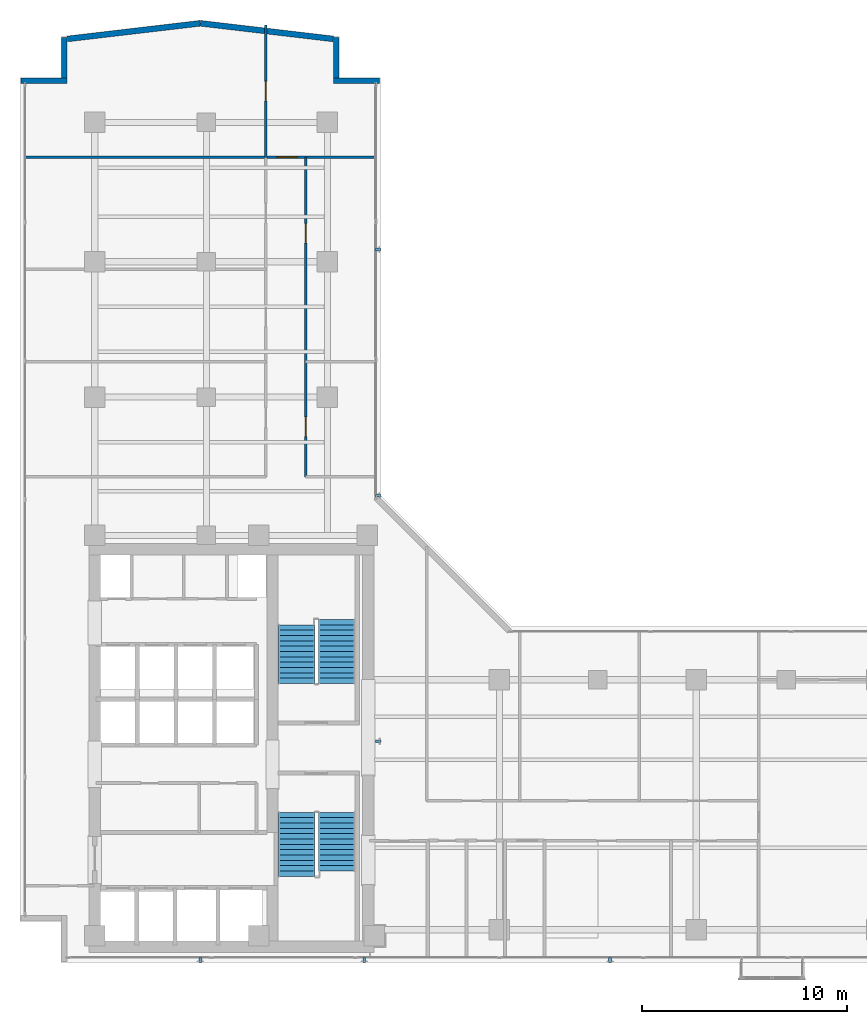
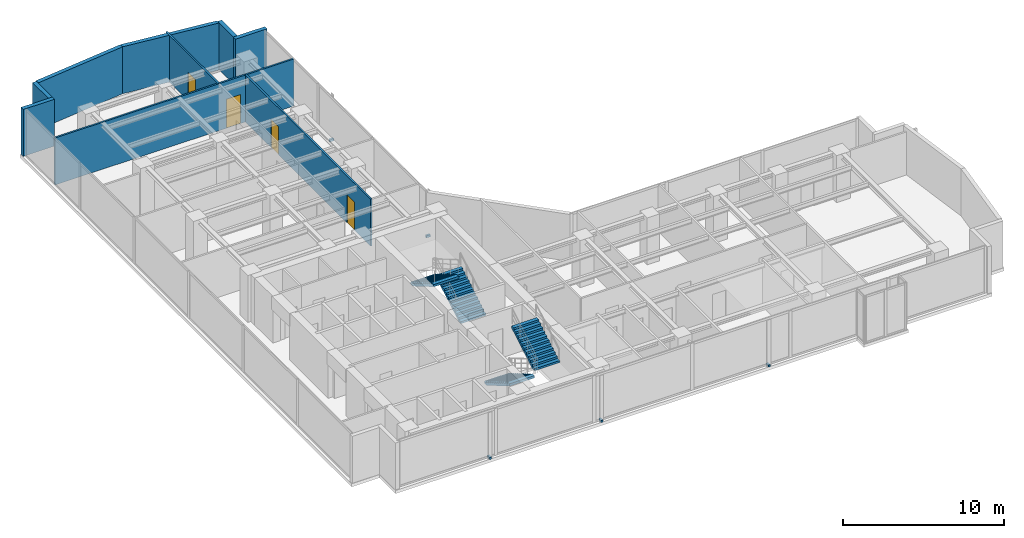
# One storey, part 18 of 23: 9 walls, 6 discrete accessories, 4 doors, 4 stair flights, 4 openings, 2 elements without a shape of their own.
"""IFC4 building model written with IfcOpenShell, lengths in metres."""

from ifc_helpers import new_model, si_unit, direction, frame, frame_2d, origin, origin_with_axes, origin_2d, place, context, subcontext, project, spatial, polyline, rectangle, outline, extrude, source, transform, mapped, material, layer, layer_set, type_object, element, fill, aggregate, save


model = new_model("IFC4")

# Units and contexts
model_context = context("Model", 3, precision=1e-05, world=origin(), true_north=direction((0.0, 1.0)))
body_context = subcontext(model_context, "Body", "Model", "MODEL_VIEW")
ifc_project = project(units=[si_unit("LENGTHUNIT", "METRE"), si_unit("AREAUNIT", "SQUARE_METRE"), si_unit("VOLUMEUNIT", "CUBIC_METRE"), si_unit("PLANEANGLEUNIT", "RADIAN"), si_unit("MASSUNIT", "GRAM", prefix="KILO")], contexts=[model_context])

# Site, building, storey
site_placement = place(None, origin())
site = spatial("IfcSite", under=ifc_project, at=site_placement, CompositionType="ELEMENT")
building_placement = place(site_placement, origin())
building = spatial("IfcBuilding", under=site, at=building_placement, Name="Kolvaren Waterfront Exchange", CompositionType="ELEMENT")
storey_placement = place(building_placement, frame((0.0, 0.0, 227.300048828125)))
storey = spatial("IfcBuildingStorey", under=building, at=storey_placement, Name="L58", CompositionType="ELEMENT", Elevation=227.300048828125)

# Walls
ifc_material_1 = material(Name="Precast concrete C40/50", Category="concrete")
ifc_layer_1 = layer(ifc_material_1, 0.280029296875, Name="Precast concrete C40/50")
ifc_layer_set_1 = layer_set([ifc_layer_1], Name="Precast concrete C40/50")
wall_type_1 = type_object("IfcWallType", Name="ARC-EXT-TERR-280", PredefinedType="SOLIDWALL", material=ifc_layer_set_1)
wall_1_placement = place(storey_placement, frame((19.10009765625, 46.639892578125, 0.0), z_axis=(0.0, 0.0, 1.0), x_axis=(1.0, 0.0, 0.0)))
element("IfcWall", 1, at=wall_1_placement, inside=storey, type_object=wall_type_1, Name="L58 notched corner spandrel pier NNE-A", PredefinedType="SOLIDWALL", context=body_context, shape_type="SweptSolid", body=[
    extrude(rectangle(XDim=2.239990234375, YDim=0.280029296875, at=frame_2d((1.1201171875, 0.0))), origin(), (0.0, 0.0, 1.0), 3.56005859375),
])
wall_2_placement = place(storey_placement, frame((19.239990234375, 46.780029296875, 0.0), z_axis=(0.0, 0.0, 1.0), x_axis=(0.0, 1.0, 0.0)))
element("IfcWall", 2, at=wall_2_placement, inside=storey, type_object=wall_type_1, Name="L58 notched corner spandrel pier NNE-B", PredefinedType="SOLIDWALL", context=body_context, shape_type="SweptSolid", body=[
    extrude(rectangle(XDim=1.9599609375, YDim=0.280029296875, at=frame_2d((0.97998046875, 0.0))), origin(), (0.0, 0.0, 1.0), 3.56005859375),
])
wall_3_placement = place(storey_placement, frame((3.860107421875, 46.639892578125, 0.0), z_axis=(0.0, 0.0, 1.0), x_axis=(1.0, 0.0, 0.0)))
element("IfcWall", 3, at=wall_3_placement, inside=storey, type_object=wall_type_1, Name="L58 notched corner spandrel pier NW-A", PredefinedType="SOLIDWALL", context=body_context, shape_type="SweptSolid", body=[
    extrude(rectangle(XDim=2.239990234375, YDim=0.280029296875, at=frame_2d((1.1201171875, 0.0))), origin(), (0.0, 0.0, 1.0), 3.56005859375),
])
wall_4_placement = place(storey_placement, frame((5.9599609375, 46.780029296875, 0.0), z_axis=(0.0, 0.0, 1.0), x_axis=(0.0, 1.0, 0.0)))
element("IfcWall", 4, at=wall_4_placement, inside=storey, type_object=wall_type_1, Name="L58 notched corner spandrel pier NW-B", PredefinedType="SOLIDWALL", context=body_context, shape_type="SweptSolid", body=[
    extrude(rectangle(XDim=1.9599609375, YDim=0.280029296875, at=frame_2d((0.97998046875, 0.0))), origin(), (0.0, 0.0, 1.0), 3.56005859375),
])
for number, where, z_axis, x_axis, name in (
    (5, (19.08349609375, 48.676025390625, 0.0), (0.0, 0.0, 1.0), (-0.993149072278, 0.11685426921, 0.0), "L58 north prow faceted facade wall 1"),
    (6, (12.598876953125, 49.438720703125, 0.0), (0.0, 0.0, 1.0), (-0.993149072278, -0.11685426921, 0.0), "L58 north prow faceted facade wall 2"),
):
    element("IfcWall", number, at=place(storey_placement, frame(where, z_axis=z_axis, x_axis=x_axis)), inside=storey, type_object=wall_type_1, Name=name, PredefinedType="SOLIDWALL", context=body_context, shape_type="SweptSolid", body=[
        extrude(rectangle(XDim=6.52685546875, YDim=0.280029296875, at=frame_2d((3.263427734375, 0.0))), origin(), (0.0, 0.0, 1.0), 3.56005859375),
    ])

# Wall, opening, door
ifc_material_2 = material(Name="Acoustic gypsum steel stud", Category="steel")
ifc_layer_2 = layer(ifc_material_2, 0.125, Name="Acoustic gypsum steel stud")
ifc_layer_set_2 = layer_set([ifc_layer_2], Name="Acoustic gypsum steel stud")
wall_type_2 = type_object("IfcWallType", Name="ARC-PART-125", PredefinedType="PARTITIONING", material=ifc_layer_set_2)
wall_5_placement = place(storey_placement, frame((4.0400390625, 42.89990234375, 0.0), z_axis=(0.0, 0.0, 1.0), x_axis=(1.0, 0.0, 0.0)))
wall_5 = element("IfcWall", 7, at=wall_5_placement, inside=storey, type_object=wall_type_2, Name="L58 interior wall PW-L58-NTIP-S", PredefinedType="PARTITIONING", context=body_context, shape_type="SweptSolid", body=[
    extrude(rectangle(XDim=17.119873046875, YDim=0.125, at=frame_2d((8.56005859375, 0.0))), origin(), (0.0, 0.0, 1.0), 3.56005859375),
])
opening_1_placement = place(wall_5_placement, frame((12.300048828125, 0.0, 0.0)))
opening_1 = element("IfcOpeningElement", 8, at=opening_1_placement, cuts=wall_5, Name="Opening D03", PredefinedType="OPENING", context=body_context, shape_type="SweptSolid", body=[
    extrude(rectangle(XDim=1.0, YDim=2.199951171875, at=frame_2d((0.5, 1.10009765625))), frame((0.0, 0.072509765625, 0.0), z_axis=(0.0, -1.0, 0.0), x_axis=(1.0, 0.0, 0.0)), (0.0, 0.0, 1.0), 0.14501953125),
])
ifc_material_3 = material(Name="Oak veneer accessible timber", Category="wood")
door_type_1 = type_object("IfcDoorType", Name="ARC-DR-1000", OperationType="NOTDEFINED", PredefinedType="DOOR", material=ifc_material_3)
door_1_placement = place(opening_1_placement, origin())
door_1 = element("IfcDoor", 9, at=door_1_placement, inside=storey, type_object=door_type_1, Name="L58 door DR-L58-NTIPE-D (D03)", OperationType="SINGLE_SWING_LEFT", OverallHeight=2.199951171875, OverallWidth=1.0, PredefinedType="DOOR", context=body_context, shape_type="SweptSolid", body=[
    extrude(rectangle(XDim=1.0, YDim=2.199951171875, at=frame_2d((0.5, 1.10009765625))), frame((0.0, 0.02490234375, 0.0), z_axis=(0.0, -1.0, 0.0), x_axis=(1.0, 0.0, 0.0)), (0.0, 0.0, 1.0), 0.050048828125),
])
fill(opening_1, door_1)

wall_6_placement = place(storey_placement, frame((15.800048828125, 42.89990234375, 0.0), z_axis=(0.0, 0.0, 1.0), x_axis=(0.0, 1.0, 0.0)))
wall_6 = element("IfcWall", 10, at=wall_6_placement, inside=storey, type_object=wall_type_2, Name="L58 interior wall PW-L58-NTIP-DIV", PredefinedType="PARTITIONING", context=body_context, shape_type="SweptSolid", body=[
    extrude(rectangle(XDim=6.460205078125, YDim=0.125, at=frame_2d((3.22998046875, 0.0))), origin(), (0.0, 0.0, 1.0), 3.56005859375),
])
opening_2_placement = place(wall_6_placement, frame((2.75, 0.0, 0.0)))
opening_2 = element("IfcOpeningElement", 11, at=opening_2_placement, cuts=wall_6, Name="Opening D02", PredefinedType="OPENING", context=body_context, shape_type="SweptSolid", body=[
    extrude(rectangle(XDim=0.949951171875, YDim=2.14990234375, at=frame_2d((0.47509765625, 1.074951171875))), frame((0.0, 0.072509765625, 0.0), z_axis=(0.0, -1.0, 0.0), x_axis=(1.0, 0.0, 0.0)), (0.0, 0.0, 1.0), 0.14501953125),
])
ifc_material_4 = material(Name="Oak veneer acoustic timber", Category="wood")
door_type_2 = type_object("IfcDoorType", Name="ARC-DR-950", OperationType="NOTDEFINED", PredefinedType="DOOR", material=ifc_material_4)
door_2_placement = place(opening_2_placement, origin())
door_2 = element("IfcDoor", 12, at=door_2_placement, inside=storey, type_object=door_type_2, Name="L58 door DR-L58-NTIPW-D (D02)", OperationType="SINGLE_SWING_RIGHT", OverallHeight=2.14990234375, OverallWidth=0.949951171875, PredefinedType="DOOR", context=body_context, shape_type="SweptSolid", body=[
    extrude(rectangle(XDim=0.949951171875, YDim=2.14990234375, at=frame_2d((0.47509765625, 1.074951171875))), frame((0.0, 0.02490234375, 0.0), z_axis=(0.0, -1.0, 0.0), x_axis=(1.0, 0.0, 0.0)), (0.0, 0.0, 1.0), 0.050048828125),
])
fill(opening_2, door_2)

# Wall, openings, doors
wall_7_placement = place(storey_placement, frame((17.739990234375, 27.300048828125, 0.0), z_axis=(0.0, 0.0, 1.0), x_axis=(0.0, 1.0, 0.0)))
wall_7 = element("IfcWall", 13, at=wall_7_placement, inside=storey, type_object=wall_type_2, Name="L58 interior wall PW-L58-NE-CORR", PredefinedType="PARTITIONING", context=body_context, shape_type="SweptSolid", body=[
    extrude(rectangle(XDim=15.599853515625, YDim=0.125, at=frame_2d((7.7998046875, 0.0))), origin(), (0.0, 0.0, 1.0), 3.56005859375),
])
opening_3_placement = place(wall_7_placement, frame((1.976806640625, 0.0, 0.0)))
opening_3 = element("IfcOpeningElement", 14, at=opening_3_placement, cuts=wall_7, Name="Opening D02", PredefinedType="OPENING", context=body_context, shape_type="SweptSolid", body=[
    extrude(rectangle(XDim=0.949951171875, YDim=2.14990234375, at=frame_2d((0.47509765625, 1.074951171875))), frame((0.0, 0.072509765625, 0.0), z_axis=(0.0, -1.0, 0.0), x_axis=(1.0, 0.0, 0.0)), (0.0, 0.0, 1.0), 0.14501953125),
])
opening_4_placement = place(wall_7_placement, frame((11.412109375, 0.0, 0.0)))
opening_4 = element("IfcOpeningElement", 15, at=opening_4_placement, cuts=wall_7, Name="Opening D02", PredefinedType="OPENING", context=body_context, shape_type="SweptSolid", body=[
    extrude(rectangle(XDim=0.949951171875, YDim=2.14990234375, at=frame_2d((0.47509765625, 1.074951171875))), frame((0.0, 0.072509765625, 0.0), z_axis=(0.0, -1.0, 0.0), x_axis=(1.0, 0.0, 0.0)), (0.0, 0.0, 1.0), 0.14501953125),
])
door_3_placement = place(opening_3_placement, origin())
door_3 = element("IfcDoor", 16, at=door_3_placement, inside=storey, type_object=door_type_2, Name="L58 door DR-L58-NE-D-1 (D02)", OperationType="SINGLE_SWING_LEFT", OverallHeight=2.14990234375, OverallWidth=0.949951171875, PredefinedType="DOOR", context=body_context, shape_type="SweptSolid", body=[
    extrude(rectangle(XDim=0.949951171875, YDim=2.14990234375, at=frame_2d((0.47509765625, 1.074951171875))), frame((0.0, 0.02490234375, 0.0), z_axis=(0.0, -1.0, 0.0), x_axis=(1.0, 0.0, 0.0)), (0.0, 0.0, 1.0), 0.050048828125),
])
fill(opening_3, door_3)
door_4_placement = place(opening_4_placement, origin())
door_4 = element("IfcDoor", 17, at=door_4_placement, inside=storey, type_object=door_type_2, Name="L58 door DR-L58-NE-D-2 (D02)", OperationType="SINGLE_SWING_RIGHT", OverallHeight=2.14990234375, OverallWidth=0.949951171875, PredefinedType="DOOR", context=body_context, shape_type="SweptSolid", body=[
    extrude(rectangle(XDim=0.949951171875, YDim=2.14990234375, at=frame_2d((0.47509765625, 1.074951171875))), frame((0.0, 0.02490234375, 0.0), z_axis=(0.0, -1.0, 0.0), x_axis=(1.0, 0.0, 0.0)), (0.0, 0.0, 1.0), 0.050048828125),
])
fill(opening_4, door_4)

# Stair, stair flights
ifc_material_5 = material(Name="Concrete C40/50", Category="concrete")
stair_type = type_object("IfcStairType", Name="ARC-STAIR-3800", PredefinedType="HALF_TURN_STAIR", material=ifc_material_5)
stair_1_placement = place(storey_placement, origin())
stair_1 = element("IfcStair", 18, at=stair_1_placement, inside=storey, type_object=stair_type, Name="L58 Smoke-proof exit stair ST1", PredefinedType="HALF_TURN_STAIR")
stair_flight_type = type_object("IfcStairFlightType", Name="ARC-FLIGHT-3800", PredefinedType="STRAIGHT", material=ifc_material_5)
stair_flight_1_placement = place(storey_placement, frame((17.300048828125, 10.929931640625, 0.0), z_axis=(0.0, 0.0, 1.0), x_axis=(0.0, -1.0, 0.0)))
stair_flight_1 = element("IfcStairFlight", 19, at=stair_flight_1_placement, type_object=stair_flight_type, Name="ST1 flight 1", NumberOfRisers=13, NumberOfTreads=12, PredefinedType="STRAIGHT", RiserHeight=0.152, TreadLength=0.26, context=body_context, shape_type="SweptSolid", body=[
    extrude(outline(polyline([(0.0, 0.0), (0.0, 0.152099609375), (0.260009765625, 0.152099609375), (0.260009765625, 0.303955078125), (0.52001953125, 0.303955078125), (0.52001953125, 0.4560546875), (0.780029296875, 0.4560546875), (0.780029296875, 0.60791015625), (1.0400390625, 0.60791015625), (1.0400390625, 0.760009765625), (1.300048828125, 0.760009765625), (1.300048828125, 0.912109375), (1.56005859375, 0.912109375), (1.56005859375, 1.06396484375), (1.820068359375, 1.06396484375), (1.820068359375, 1.216064453125), (2.080078125, 1.216064453125), (2.080078125, 1.367919921875), (2.340087890625, 1.367919921875), (2.340087890625, 1.52001953125), (2.60009765625, 1.52001953125), (2.60009765625, 1.672119140625), (2.860107421875, 1.672119140625), (2.860107421875, 1.823974609375), (3.1201171875, 1.823974609375), (3.1201171875, 1.97607421875), (3.1201171875, 1.650390625), (0.297119140625, 0.0), (0.0, 0.0)])), frame((0.0, 0.89990234375, 0.0), z_axis=(0.0, -1.0, 0.0), x_axis=(1.0, 0.0, 0.0)), (0.0, 0.0, 1.0), 1.800048828125),
])
stair_flight_2_placement = place(storey_placement, frame((19.260009765625, 8.070068359375, 1.975830078125), z_axis=(0.0, 0.0, 1.0), x_axis=(0.0, 1.0, 0.0)))
stair_flight_2 = element("IfcStairFlight", 20, at=stair_flight_2_placement, type_object=stair_flight_type, Name="ST1 flight 2", NumberOfRisers=12, NumberOfTreads=11, PredefinedType="STRAIGHT", RiserHeight=0.152, TreadLength=0.26, context=body_context, shape_type="SweptSolid", body=[
    extrude(outline(polyline([(0.0, 0.0), (0.0, 0.152099609375), (0.260009765625, 0.152099609375), (0.260009765625, 0.303955078125), (0.52001953125, 0.303955078125), (0.52001953125, 0.4560546875), (0.780029296875, 0.4560546875), (0.780029296875, 0.60791015625), (1.0400390625, 0.60791015625), (1.0400390625, 0.760009765625), (1.300048828125, 0.760009765625), (1.300048828125, 0.912109375), (1.56005859375, 0.912109375), (1.56005859375, 1.06396484375), (1.820068359375, 1.06396484375), (1.820068359375, 1.216064453125), (2.080078125, 1.216064453125), (2.080078125, 1.367919921875), (2.340087890625, 1.367919921875), (2.340087890625, 1.52001953125), (2.60009765625, 1.52001953125), (2.60009765625, 1.672119140625), (2.860107421875, 1.672119140625), (2.860107421875, 1.823974609375), (2.860107421875, 1.498291015625), (0.297119140625, 0.0), (0.0, 0.0)])), frame((0.0, 0.89990234375, 0.0), z_axis=(0.0, -1.0, 0.0), x_axis=(1.0, 0.0, 0.0)), (0.0, 0.0, 1.0), 1.800048828125),
])
aggregate(stair_1, [stair_flight_1, stair_flight_2])

stair_2_placement = place(storey_placement, origin())
stair_2 = element("IfcStair", 21, at=stair_2_placement, inside=storey, type_object=stair_type, Name="L58 Smoke-proof exit stair ST2", PredefinedType="HALF_TURN_STAIR")
stair_flight_3_placement = place(storey_placement, frame((19.260009765625, 17.219970703125, 0.0), z_axis=(0.0, 0.0, 1.0), x_axis=(0.0, 1.0, 0.0)))
stair_flight_3 = element("IfcStairFlight", 22, at=stair_flight_3_placement, type_object=stair_flight_type, Name="ST2 flight 1", NumberOfRisers=13, NumberOfTreads=12, PredefinedType="STRAIGHT", RiserHeight=0.152, TreadLength=0.26, context=body_context, shape_type="SweptSolid", body=[
    extrude(outline(polyline([(0.0, 0.0), (0.0, 0.152099609375), (0.260009765625, 0.152099609375), (0.260009765625, 0.303955078125), (0.52001953125, 0.303955078125), (0.52001953125, 0.4560546875), (0.780029296875, 0.4560546875), (0.780029296875, 0.60791015625), (1.0400390625, 0.60791015625), (1.0400390625, 0.760009765625), (1.300048828125, 0.760009765625), (1.300048828125, 0.912109375), (1.56005859375, 0.912109375), (1.56005859375, 1.06396484375), (1.820068359375, 1.06396484375), (1.820068359375, 1.216064453125), (2.080078125, 1.216064453125), (2.080078125, 1.367919921875), (2.340087890625, 1.367919921875), (2.340087890625, 1.52001953125), (2.60009765625, 1.52001953125), (2.60009765625, 1.672119140625), (2.860107421875, 1.672119140625), (2.860107421875, 1.823974609375), (3.1201171875, 1.823974609375), (3.1201171875, 1.97607421875), (3.1201171875, 1.650390625), (0.297119140625, 0.0), (0.0, 0.0)])), frame((0.0, 0.89990234375, 0.0), z_axis=(0.0, -1.0, 0.0), x_axis=(1.0, 0.0, 0.0)), (0.0, 0.0, 1.0), 1.800048828125),
])
stair_flight_4_placement = place(storey_placement, frame((17.300048828125, 20.080078125, 1.975830078125), z_axis=(0.0, 0.0, 1.0), x_axis=(0.0, -1.0, 0.0)))
stair_flight_4 = element("IfcStairFlight", 23, at=stair_flight_4_placement, type_object=stair_flight_type, Name="ST2 flight 2", NumberOfRisers=12, NumberOfTreads=11, PredefinedType="STRAIGHT", RiserHeight=0.152, TreadLength=0.26, context=body_context, shape_type="SweptSolid", body=[
    extrude(outline(polyline([(0.0, 0.0), (0.0, 0.152099609375), (0.260009765625, 0.152099609375), (0.260009765625, 0.303955078125), (0.52001953125, 0.303955078125), (0.52001953125, 0.4560546875), (0.780029296875, 0.4560546875), (0.780029296875, 0.60791015625), (1.0400390625, 0.60791015625), (1.0400390625, 0.760009765625), (1.300048828125, 0.760009765625), (1.300048828125, 0.912109375), (1.56005859375, 0.912109375), (1.56005859375, 1.06396484375), (1.820068359375, 1.06396484375), (1.820068359375, 1.216064453125), (2.080078125, 1.216064453125), (2.080078125, 1.367919921875), (2.340087890625, 1.367919921875), (2.340087890625, 1.52001953125), (2.60009765625, 1.52001953125), (2.60009765625, 1.672119140625), (2.860107421875, 1.672119140625), (2.860107421875, 1.823974609375), (2.860107421875, 1.498291015625), (0.297119140625, 0.0), (0.0, 0.0)])), frame((0.0, 0.89990234375, 0.0), z_axis=(0.0, -1.0, 0.0), x_axis=(1.0, 0.0, 0.0)), (0.0, 0.0, 1.0), 1.800048828125),
])
aggregate(stair_2, [stair_flight_3, stair_flight_4])

# Discrete accessories
ifc_material_6 = material(Name="Stainless steel 316", Category="steel")
discrete_accessory_type = type_object("IfcDiscreteAccessoryType", Name="ARC-BRK-FIN", PredefinedType="BRACKET", material=ifc_material_6)
shared_shape = source(origin_with_axes(), body_context, "Body", "SweptSolid", [
    extrude(rectangle(XDim=0.280029296875, YDim=0.139892578125, at=origin_2d()), origin(), (0.0, 0.0, 1.0), 0.159912109375),
])
for number, where, z_axis, x_axis, name in (
    (24, (12.60009765625, 3.719970703125, 0.0), (0.0, 0.0, 1.0), (0.0, -1.0, 0.0), "L58 bronze fin anchor bracket FIN-L58-S1"),
    (25, (20.60009765625, 3.719970703125, 0.0), (0.0, 0.0, 1.0), (0.0, -1.0, 0.0), "L58 bronze fin anchor bracket FIN-L58-S2"),
    (26, (32.60009765625, 3.719970703125, 0.0), (0.0, 0.0, 1.0), (0.0, -1.0, 0.0), "L58 bronze fin anchor bracket FIN-L58-S3"),
    (27, (21.280029296875, 14.39990234375, 0.0), (0.0, 0.0, 1.0), (1.0, 0.0, 0.0), "L58 bronze fin anchor bracket FIN-L58-E1"),
    (28, (21.280029296875, 26.39990234375, 0.0), (0.0, 0.0, 1.0), (1.0, 0.0, 0.0), "L58 bronze fin anchor bracket FIN-L58-E2"),
    (29, (21.280029296875, 38.39990234375, 0.0), (0.0, 0.0, 1.0), (1.0, 0.0, 0.0), "L58 bronze fin anchor bracket FIN-L58-E3"),
):
    element("IfcDiscreteAccessory", number, at=place(storey_placement, frame(where, z_axis=z_axis, x_axis=x_axis)), inside=storey, type_object=discrete_accessory_type, Name=name, PredefinedType="BRACKET", context=body_context, shape_type="MappedRepresentation", body=[
        mapped(shared_shape, transform((0.0, 0.0, 0.0), x_axis=(1.0, 0.0, 0.0), y_axis=(0.0, 1.0, 0.0), z_axis=(0.0, 0.0, 1.0), scale=1.0)),
    ])

save(model, "model.ifc")
